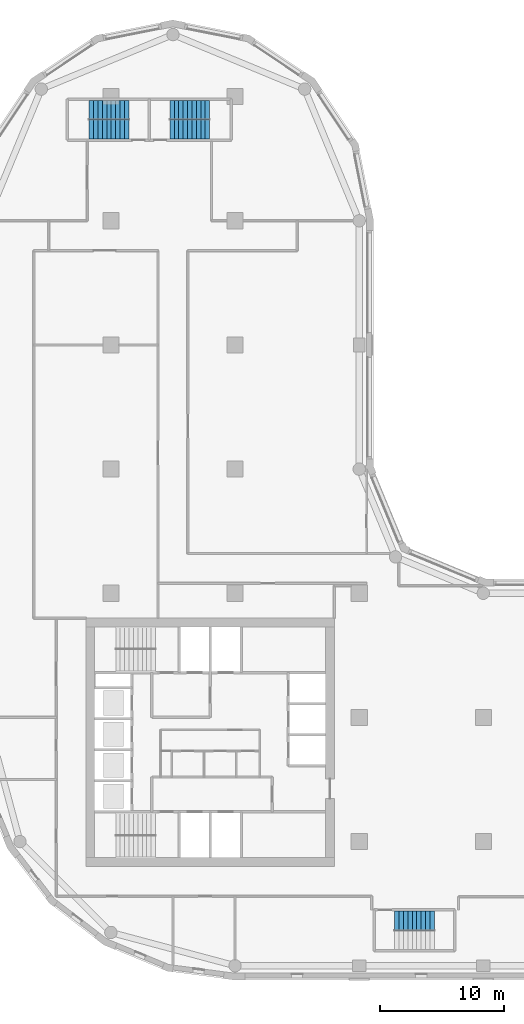
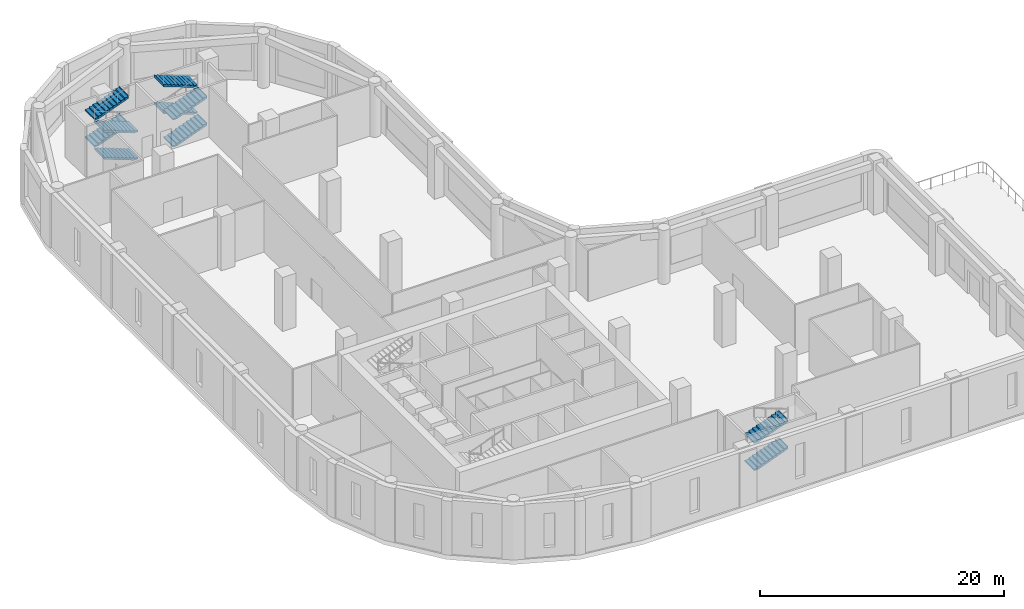
# One storey, part 7 of 9: 10 stair flights, 3 elements without a shape of their own.
"""IFC4 building model written with IfcOpenShell, lengths in metres."""

from ifc_helpers import new_model, si_unit, direction, frame, origin, place, context, subcontext, project, spatial, polyline, outline, extrude, material, type_object, element, aggregate, save


model = new_model("IFC4")

# Units and contexts
model_context = context("Model", 3, precision=1e-05, world=origin(), true_north=direction((0.0, 1.0)))
body_context = subcontext(model_context, "Body", "Model", "MODEL_VIEW")
ifc_project = project(units=[si_unit("LENGTHUNIT", "METRE"), si_unit("AREAUNIT", "SQUARE_METRE"), si_unit("VOLUMEUNIT", "CUBIC_METRE"), si_unit("PLANEANGLEUNIT", "RADIAN"), si_unit("MASSUNIT", "GRAM", prefix="KILO")], contexts=[model_context])

# Site, building, storey
site_placement = place(None, origin())
site = spatial("IfcSite", under=ifc_project, at=site_placement, CompositionType="ELEMENT")
building_placement = place(site_placement, origin())
building = spatial("IfcBuilding", under=site, at=building_placement, Name="Qaws Garden Tower", CompositionType="ELEMENT")
storey_placement = place(building_placement, frame((0.0, 0.0, 126.300048828125)))
storey = spatial("IfcBuildingStorey", under=building, at=storey_placement, Name="L30", CompositionType="ELEMENT", Elevation=126.300048828125)

# Stair, stair flights
ifc_material_1 = material(Name="Concrete C40", Category="concrete")
stair_type = type_object("IfcStairType", Name="Exit stair 1350", PredefinedType="HALF_TURN_STAIR", material=ifc_material_1)
placement = place(storey_placement, origin())
stair_1 = element("IfcStair", 1, at=placement, inside=storey, type_object=stair_type, Name="Stair 5", PredefinedType="HALF_TURN_STAIR")
ifc_material_2 = material(Name="Concrete C40", Category="concrete")
stair_flight_type = type_object("IfcStairFlightType", Name="Stair flight 1350", PredefinedType="STRAIGHT", material=ifc_material_2)
stair_flight_1_placement = place(storey_placement, frame((32.85009765625, 3.625, 0.0), z_axis=(0.0, 0.0, 1.0), x_axis=(1.0, 0.0, 0.0)))
stair_flight_1 = element("IfcStairFlight", 2, at=stair_flight_1_placement, type_object=stair_flight_type, Name="ST5 flight 1", NumberOfRisers=10, NumberOfTreads=9, PredefinedType="STRAIGHT", RiserHeight=0.135, TreadLength=0.356, context=body_context, shape_type="SweptSolid", body=[
    extrude(outline(polyline([(-0.0029296875, 0.0), (-0.0029296875, 0.135009765625), (0.0, 0.135009765625), (0.35595703125, 0.135009765625), (0.35595703125, 0.27001953125), (0.7119140625, 0.27001953125), (0.7119140625, 0.405029296875), (1.068115234375, 0.405029296875), (1.068115234375, 0.5400390625), (1.424072265625, 0.5400390625), (1.424072265625, 0.675048828125), (1.780029296875, 0.675048828125), (1.780029296875, 0.81005859375), (2.135986328125, 0.81005859375), (2.135986328125, 0.945068359375), (2.491943359375, 0.945068359375), (2.491943359375, 1.080078125), (2.847900390625, 1.080078125), (2.847900390625, 1.215087890625), (3.2041015625, 1.215087890625), (3.2041015625, 1.35009765625), (3.20703125, 1.35009765625), (3.20703125, 1.0546875), (3.2041015625, 1.0546875), (0.4228515625, 0.0), (-0.0029296875, 0.0)])), frame((0.0, 0.77001953125, 0.0), z_axis=(0.0, -1.0, 0.0), x_axis=(1.0, 0.0, 0.0)), (0.0, 0.0, 1.0), 1.5400390625),
])
stair_flight_2_placement = place(storey_placement, frame((32.85009765625, 3.625, 2.699951171875), z_axis=(0.0, 0.0, 1.0), x_axis=(1.0, 0.0, 0.0)))
stair_flight_2 = element("IfcStairFlight", 3, at=stair_flight_2_placement, type_object=stair_flight_type, Name="ST5 flight 3", NumberOfRisers=10, NumberOfTreads=9, PredefinedType="STRAIGHT", RiserHeight=0.135, TreadLength=0.356, context=body_context, shape_type="SweptSolid", body=[
    extrude(outline(polyline([(-0.0029296875, 0.0), (-0.0029296875, 0.135009765625), (0.0, 0.135009765625), (0.35595703125, 0.135009765625), (0.35595703125, 0.27001953125), (0.7119140625, 0.27001953125), (0.7119140625, 0.405029296875), (1.068115234375, 0.405029296875), (1.068115234375, 0.5400390625), (1.424072265625, 0.5400390625), (1.424072265625, 0.675048828125), (1.780029296875, 0.675048828125), (1.780029296875, 0.81005859375), (2.135986328125, 0.81005859375), (2.135986328125, 0.945068359375), (2.491943359375, 0.945068359375), (2.491943359375, 1.080078125), (2.847900390625, 1.080078125), (2.847900390625, 1.215087890625), (3.2041015625, 1.215087890625), (3.2041015625, 1.35009765625), (3.20703125, 1.35009765625), (3.20703125, 1.0546875), (3.2041015625, 1.0546875), (0.4228515625, 0.0), (-0.0029296875, 0.0)])), frame((0.0, 0.77001953125, 0.0), z_axis=(0.0, -1.0, 0.0), x_axis=(1.0, 0.0, 0.0)), (0.0, 0.0, 1.0), 1.5400390625),
])
aggregate(stair_1, [stair_flight_1, stair_flight_2])

stair_2 = element("IfcStair", 4, at=placement, inside=storey, type_object=stair_type, Name="Stair 6", PredefinedType="HALF_TURN_STAIR")
stair_flight_3_placement = place(storey_placement, frame((11.449951171875, 67.375, 0.0), z_axis=(0.0, 0.0, 1.0), x_axis=(-1.0, 0.0, 0.0)))
stair_flight_3 = element("IfcStairFlight", 5, at=stair_flight_3_placement, type_object=stair_flight_type, Name="ST6 flight 1", NumberOfRisers=10, NumberOfTreads=9, PredefinedType="STRAIGHT", RiserHeight=0.135, TreadLength=0.356, context=body_context, shape_type="SweptSolid", body=[
    extrude(outline(polyline([(-0.0029296875, 0.0), (-0.0029296875, 0.135009765625), (0.0, 0.135009765625), (0.35595703125, 0.135009765625), (0.35595703125, 0.27001953125), (0.7119140625, 0.27001953125), (0.7119140625, 0.405029296875), (1.068115234375, 0.405029296875), (1.068115234375, 0.5400390625), (1.424072265625, 0.5400390625), (1.424072265625, 0.675048828125), (1.780029296875, 0.675048828125), (1.780029296875, 0.81005859375), (2.135986328125, 0.81005859375), (2.135986328125, 0.945068359375), (2.491943359375, 0.945068359375), (2.491943359375, 1.080078125), (2.847900390625, 1.080078125), (2.847900390625, 1.215087890625), (3.2041015625, 1.215087890625), (3.2041015625, 1.35009765625), (3.20703125, 1.35009765625), (3.20703125, 1.0546875), (3.2041015625, 1.0546875), (0.4228515625, 0.0), (-0.0029296875, 0.0)])), frame((0.0, 0.77490234375, 0.0), z_axis=(0.0, -1.0, 0.0), x_axis=(1.0, 0.0, 0.0)), (0.0, 0.0, 1.0), 1.550048828125),
])
stair_flight_4_placement = place(storey_placement, frame((8.24609375, 68.925048828125, 1.349853515625), z_axis=(0.0, 0.0, 1.0), x_axis=(1.0, 0.0, 0.0)))
stair_flight_4 = element("IfcStairFlight", 6, at=stair_flight_4_placement, type_object=stair_flight_type, Name="ST6 flight 2", NumberOfRisers=10, NumberOfTreads=9, PredefinedType="STRAIGHT", RiserHeight=0.135, TreadLength=0.356, context=body_context, shape_type="SweptSolid", body=[
    extrude(outline(polyline([(-0.0029296875, 0.0), (-0.0029296875, 0.135009765625), (0.0, 0.135009765625), (0.35595703125, 0.135009765625), (0.35595703125, 0.27001953125), (0.7119140625, 0.27001953125), (0.7119140625, 0.405029296875), (1.068115234375, 0.405029296875), (1.068115234375, 0.5400390625), (1.424072265625, 0.5400390625), (1.424072265625, 0.675048828125), (1.780029296875, 0.675048828125), (1.780029296875, 0.81005859375), (2.135986328125, 0.81005859375), (2.135986328125, 0.945068359375), (2.491943359375, 0.945068359375), (2.491943359375, 1.080078125), (2.847900390625, 1.080078125), (2.847900390625, 1.215087890625), (3.2041015625, 1.215087890625), (3.2041015625, 1.35009765625), (3.20703125, 1.35009765625), (3.20703125, 1.0546875), (3.2041015625, 1.0546875), (0.4228515625, 0.0), (-0.0029296875, 0.0)])), frame((0.0, 0.77490234375, 0.0), z_axis=(0.0, -1.0, 0.0), x_axis=(1.0, 0.0, 0.0)), (0.0, 0.0, 1.0), 1.550048828125),
])
stair_flight_5_placement = place(storey_placement, frame((11.449951171875, 67.375, 2.699951171875), z_axis=(0.0, 0.0, 1.0), x_axis=(-1.0, 0.0, 0.0)))
stair_flight_5 = element("IfcStairFlight", 7, at=stair_flight_5_placement, type_object=stair_flight_type, Name="ST6 flight 3", NumberOfRisers=10, NumberOfTreads=9, PredefinedType="STRAIGHT", RiserHeight=0.135, TreadLength=0.356, context=body_context, shape_type="SweptSolid", body=[
    extrude(outline(polyline([(-0.0029296875, 0.0), (-0.0029296875, 0.135009765625), (0.0, 0.135009765625), (0.35595703125, 0.135009765625), (0.35595703125, 0.27001953125), (0.7119140625, 0.27001953125), (0.7119140625, 0.405029296875), (1.068115234375, 0.405029296875), (1.068115234375, 0.5400390625), (1.424072265625, 0.5400390625), (1.424072265625, 0.675048828125), (1.780029296875, 0.675048828125), (1.780029296875, 0.81005859375), (2.135986328125, 0.81005859375), (2.135986328125, 0.945068359375), (2.491943359375, 0.945068359375), (2.491943359375, 1.080078125), (2.847900390625, 1.080078125), (2.847900390625, 1.215087890625), (3.2041015625, 1.215087890625), (3.2041015625, 1.35009765625), (3.20703125, 1.35009765625), (3.20703125, 1.0546875), (3.2041015625, 1.0546875), (0.4228515625, 0.0), (-0.0029296875, 0.0)])), frame((0.0, 0.77490234375, 0.0), z_axis=(0.0, -1.0, 0.0), x_axis=(1.0, 0.0, 0.0)), (0.0, 0.0, 1.0), 1.550048828125),
])
stair_flight_6_placement = place(storey_placement, frame((8.24609375, 68.925048828125, 4.050048828125), z_axis=(0.0, 0.0, 1.0), x_axis=(1.0, 0.0, 0.0)))
stair_flight_6 = element("IfcStairFlight", 8, at=stair_flight_6_placement, type_object=stair_flight_type, Name="ST6 flight 4", NumberOfRisers=10, NumberOfTreads=9, PredefinedType="STRAIGHT", RiserHeight=0.135, TreadLength=0.356, context=body_context, shape_type="SweptSolid", body=[
    extrude(outline(polyline([(-0.0029296875, 0.0), (-0.0029296875, 0.135009765625), (0.0, 0.135009765625), (0.35595703125, 0.135009765625), (0.35595703125, 0.27001953125), (0.7119140625, 0.27001953125), (0.7119140625, 0.405029296875), (1.068115234375, 0.405029296875), (1.068115234375, 0.5400390625), (1.424072265625, 0.5400390625), (1.424072265625, 0.675048828125), (1.780029296875, 0.675048828125), (1.780029296875, 0.81005859375), (2.135986328125, 0.81005859375), (2.135986328125, 0.945068359375), (2.491943359375, 0.945068359375), (2.491943359375, 1.080078125), (2.847900390625, 1.080078125), (2.847900390625, 1.215087890625), (3.2041015625, 1.215087890625), (3.2041015625, 1.35009765625), (3.20703125, 1.35009765625), (3.20703125, 1.0546875), (3.2041015625, 1.0546875), (0.4228515625, 0.0), (-0.0029296875, 0.0)])), frame((0.0, 0.77490234375, 0.0), z_axis=(0.0, -1.0, 0.0), x_axis=(1.0, 0.0, 0.0)), (0.0, 0.0, 1.0), 1.550048828125),
])
aggregate(stair_2, [stair_flight_3, stair_flight_4, stair_flight_5, stair_flight_6])

stair_3 = element("IfcStair", 9, at=placement, inside=storey, type_object=stair_type, Name="Stair 7", PredefinedType="HALF_TURN_STAIR")
stair_flight_7_placement = place(storey_placement, frame((14.75, 67.375, 0.0), z_axis=(0.0, 0.0, 1.0), x_axis=(1.0, 0.0, 0.0)))
stair_flight_7 = element("IfcStairFlight", 10, at=stair_flight_7_placement, type_object=stair_flight_type, Name="ST7 flight 1", NumberOfRisers=10, NumberOfTreads=9, PredefinedType="STRAIGHT", RiserHeight=0.135, TreadLength=0.356, context=body_context, shape_type="SweptSolid", body=[
    extrude(outline(polyline([(-0.0029296875, 0.0), (-0.0029296875, 0.135009765625), (0.0, 0.135009765625), (0.35595703125, 0.135009765625), (0.35595703125, 0.27001953125), (0.7119140625, 0.27001953125), (0.7119140625, 0.405029296875), (1.068115234375, 0.405029296875), (1.068115234375, 0.5400390625), (1.424072265625, 0.5400390625), (1.424072265625, 0.675048828125), (1.780029296875, 0.675048828125), (1.780029296875, 0.81005859375), (2.135986328125, 0.81005859375), (2.135986328125, 0.945068359375), (2.491943359375, 0.945068359375), (2.491943359375, 1.080078125), (2.847900390625, 1.080078125), (2.847900390625, 1.215087890625), (3.2041015625, 1.215087890625), (3.2041015625, 1.35009765625), (3.20703125, 1.35009765625), (3.20703125, 1.0546875), (3.2041015625, 1.0546875), (0.4228515625, 0.0), (-0.0029296875, 0.0)])), frame((0.0, 0.77490234375, 0.0), z_axis=(0.0, -1.0, 0.0), x_axis=(1.0, 0.0, 0.0)), (0.0, 0.0, 1.0), 1.550048828125),
])
stair_flight_8_placement = place(storey_placement, frame((17.9541015625, 68.925048828125, 1.349853515625), z_axis=(0.0, 0.0, 1.0), x_axis=(-1.0, 0.0, 0.0)))
stair_flight_8 = element("IfcStairFlight", 11, at=stair_flight_8_placement, type_object=stair_flight_type, Name="ST7 flight 2", NumberOfRisers=10, NumberOfTreads=9, PredefinedType="STRAIGHT", RiserHeight=0.135, TreadLength=0.356, context=body_context, shape_type="SweptSolid", body=[
    extrude(outline(polyline([(-0.0029296875, 0.0), (-0.0029296875, 0.135009765625), (0.0, 0.135009765625), (0.35595703125, 0.135009765625), (0.35595703125, 0.27001953125), (0.7119140625, 0.27001953125), (0.7119140625, 0.405029296875), (1.068115234375, 0.405029296875), (1.068115234375, 0.5400390625), (1.424072265625, 0.5400390625), (1.424072265625, 0.675048828125), (1.780029296875, 0.675048828125), (1.780029296875, 0.81005859375), (2.135986328125, 0.81005859375), (2.135986328125, 0.945068359375), (2.491943359375, 0.945068359375), (2.491943359375, 1.080078125), (2.847900390625, 1.080078125), (2.847900390625, 1.215087890625), (3.2041015625, 1.215087890625), (3.2041015625, 1.35009765625), (3.20703125, 1.35009765625), (3.20703125, 1.0546875), (3.2041015625, 1.0546875), (0.4228515625, 0.0), (-0.0029296875, 0.0)])), frame((0.0, 0.77490234375, 0.0), z_axis=(0.0, -1.0, 0.0), x_axis=(1.0, 0.0, 0.0)), (0.0, 0.0, 1.0), 1.550048828125),
])
stair_flight_9_placement = place(storey_placement, frame((14.75, 67.375, 2.699951171875), z_axis=(0.0, 0.0, 1.0), x_axis=(1.0, 0.0, 0.0)))
stair_flight_9 = element("IfcStairFlight", 12, at=stair_flight_9_placement, type_object=stair_flight_type, Name="ST7 flight 3", NumberOfRisers=10, NumberOfTreads=9, PredefinedType="STRAIGHT", RiserHeight=0.135, TreadLength=0.356, context=body_context, shape_type="SweptSolid", body=[
    extrude(outline(polyline([(-0.0029296875, 0.0), (-0.0029296875, 0.135009765625), (0.0, 0.135009765625), (0.35595703125, 0.135009765625), (0.35595703125, 0.27001953125), (0.7119140625, 0.27001953125), (0.7119140625, 0.405029296875), (1.068115234375, 0.405029296875), (1.068115234375, 0.5400390625), (1.424072265625, 0.5400390625), (1.424072265625, 0.675048828125), (1.780029296875, 0.675048828125), (1.780029296875, 0.81005859375), (2.135986328125, 0.81005859375), (2.135986328125, 0.945068359375), (2.491943359375, 0.945068359375), (2.491943359375, 1.080078125), (2.847900390625, 1.080078125), (2.847900390625, 1.215087890625), (3.2041015625, 1.215087890625), (3.2041015625, 1.35009765625), (3.20703125, 1.35009765625), (3.20703125, 1.0546875), (3.2041015625, 1.0546875), (0.4228515625, 0.0), (-0.0029296875, 0.0)])), frame((0.0, 0.77490234375, 0.0), z_axis=(0.0, -1.0, 0.0), x_axis=(1.0, 0.0, 0.0)), (0.0, 0.0, 1.0), 1.550048828125),
])
stair_flight_10_placement = place(storey_placement, frame((17.9541015625, 68.925048828125, 4.050048828125), z_axis=(0.0, 0.0, 1.0), x_axis=(-1.0, 0.0, 0.0)))
stair_flight_10 = element("IfcStairFlight", 13, at=stair_flight_10_placement, type_object=stair_flight_type, Name="ST7 flight 4", NumberOfRisers=10, NumberOfTreads=9, PredefinedType="STRAIGHT", RiserHeight=0.135, TreadLength=0.356, context=body_context, shape_type="SweptSolid", body=[
    extrude(outline(polyline([(-0.0029296875, 0.0), (-0.0029296875, 0.135009765625), (0.0, 0.135009765625), (0.35595703125, 0.135009765625), (0.35595703125, 0.27001953125), (0.7119140625, 0.27001953125), (0.7119140625, 0.405029296875), (1.068115234375, 0.405029296875), (1.068115234375, 0.5400390625), (1.424072265625, 0.5400390625), (1.424072265625, 0.675048828125), (1.780029296875, 0.675048828125), (1.780029296875, 0.81005859375), (2.135986328125, 0.81005859375), (2.135986328125, 0.945068359375), (2.491943359375, 0.945068359375), (2.491943359375, 1.080078125), (2.847900390625, 1.080078125), (2.847900390625, 1.215087890625), (3.2041015625, 1.215087890625), (3.2041015625, 1.35009765625), (3.20703125, 1.35009765625), (3.20703125, 1.0546875), (3.2041015625, 1.0546875), (0.4228515625, 0.0), (-0.0029296875, 0.0)])), frame((0.0, 0.77490234375, 0.0), z_axis=(0.0, -1.0, 0.0), x_axis=(1.0, 0.0, 0.0)), (0.0, 0.0, 1.0), 1.550048828125),
])
aggregate(stair_3, [stair_flight_7, stair_flight_8, stair_flight_9, stair_flight_10])

save(model, "model.ifc")
